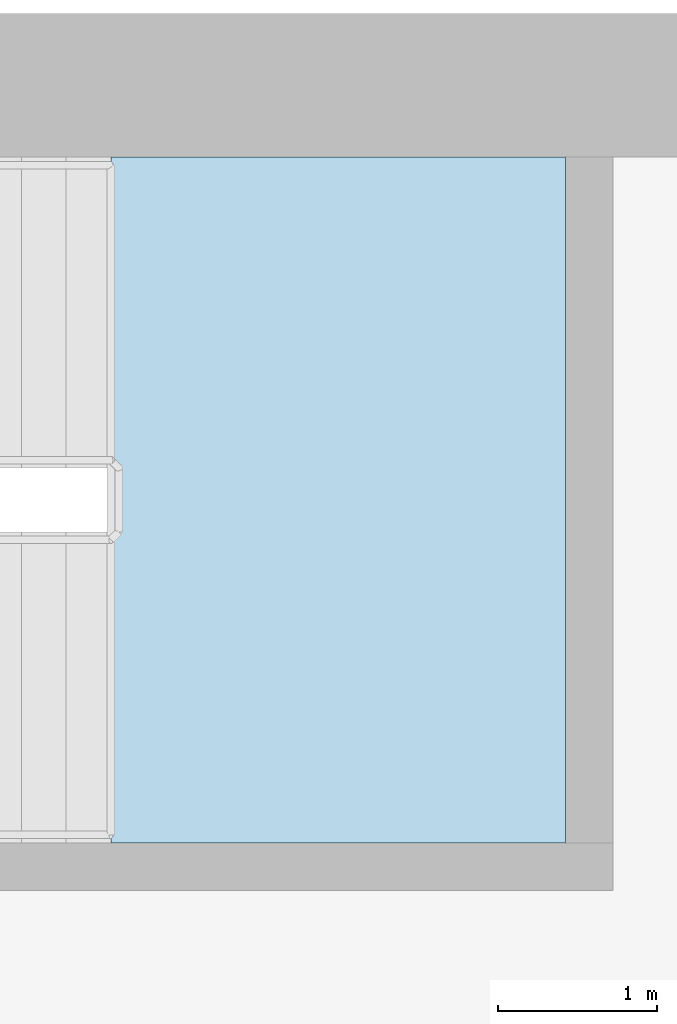
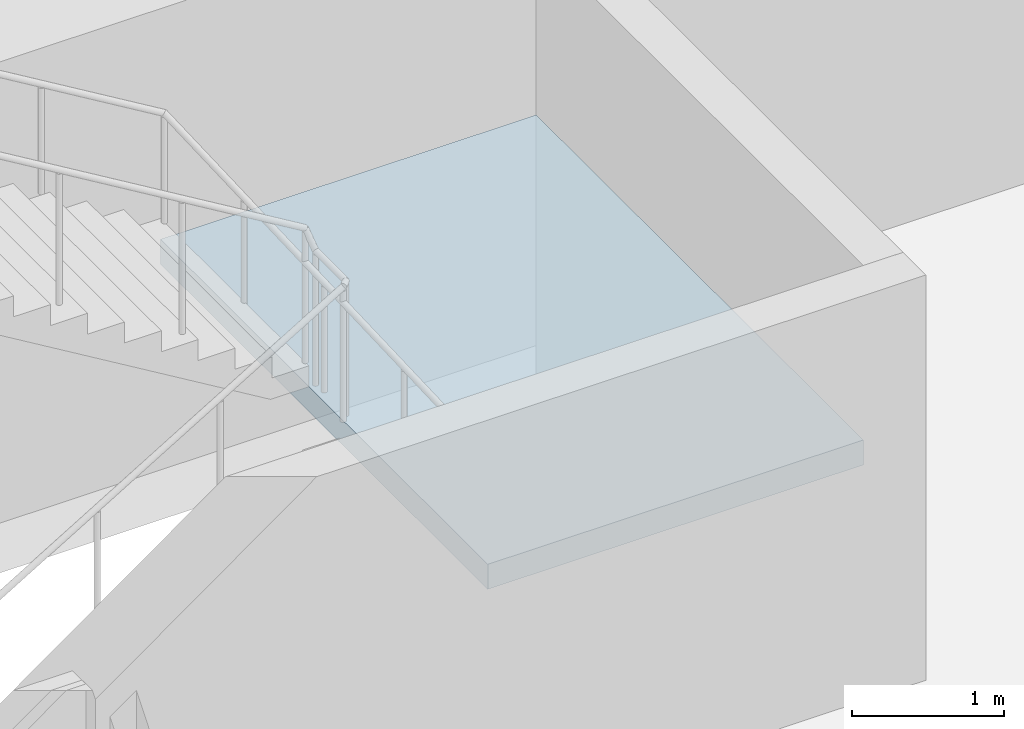
# One storey, part 8 of 18: 1 slab, 1 element without a shape of its own.
"""IFC4 building model written with IfcOpenShell, lengths in metres."""

from ifc_helpers import new_model, si_unit, direction, frame, origin, place, context, subcontext, project, spatial, polyline, outline, extrude, material, layer, layer_set, type_object, element, aggregate, save


model = new_model("IFC4")

# Units and contexts
model_context = context("Model", 3, precision=1e-05, world=origin(), true_north=direction((0.0, 1.0)))
body_context = subcontext(model_context, "Body", "Model", "MODEL_VIEW")
ifc_project = project(units=[si_unit("LENGTHUNIT", "METRE"), si_unit("AREAUNIT", "SQUARE_METRE"), si_unit("VOLUMEUNIT", "CUBIC_METRE"), si_unit("PLANEANGLEUNIT", "RADIAN"), si_unit("MASSUNIT", "GRAM", prefix="KILO")], contexts=[model_context])

# Site, building, storey
site_placement = place(None, origin())
site = spatial("IfcSite", under=ifc_project, at=site_placement, CompositionType="ELEMENT")
building_placement = place(site_placement, origin())
building = spatial("IfcBuilding", under=site, at=building_placement, Name="Hunhe Ridgeline Campus", CompositionType="ELEMENT")
storey_placement = place(building_placement, frame((0.0, 0.0, 223.5)))
storey = spatial("IfcBuildingStorey", under=building, at=storey_placement, Name="L57", CompositionType="ELEMENT", Elevation=223.5)

# Stair, slab
ifc_material = material(Name="Concrete C40", Category="concrete")
stair_type = type_object("IfcStairType", Name="Reinforced concrete dog-leg stair 1950 Concrete C40", PredefinedType="HALF_TURN_STAIR", material=ifc_material)
stair_placement = place(storey_placement, origin())
stair = element("IfcStair", 1, at=stair_placement, inside=storey, type_object=stair_type, Name="L57 E1", PredefinedType="HALF_TURN_STAIR")
ifc_layer = layer(ifc_material, 0.199951171875)
ifc_layer_set = layer_set([ifc_layer], Name="Reinforced concrete stair landing 200 Concrete C40")
slab_type = type_object("IfcSlabType", Name="Reinforced concrete stair landing 200 Concrete C40", PredefinedType="LANDING", material=ifc_layer_set)
slab_placement = place(storey_placement, frame((0.0, 0.0, 1.64990234375)))
slab = element("IfcSlab", 2, at=slab_placement, type_object=slab_type, Name="ST5 landing 1", PredefinedType="LANDING", context=body_context, shape_type="SweptSolid", body=[
    extrude(outline(polyline([(41.199951171875, 93.800048828125), (44.050048828125, 93.800048828125), (44.050048828125, 98.10009765625), (41.199951171875, 98.10009765625), (41.199951171875, 93.800048828125)])), origin(), (0.0, 0.0, 1.0), 0.2001953125),
])
aggregate(stair, [slab])

save(model, "model.ifc")
